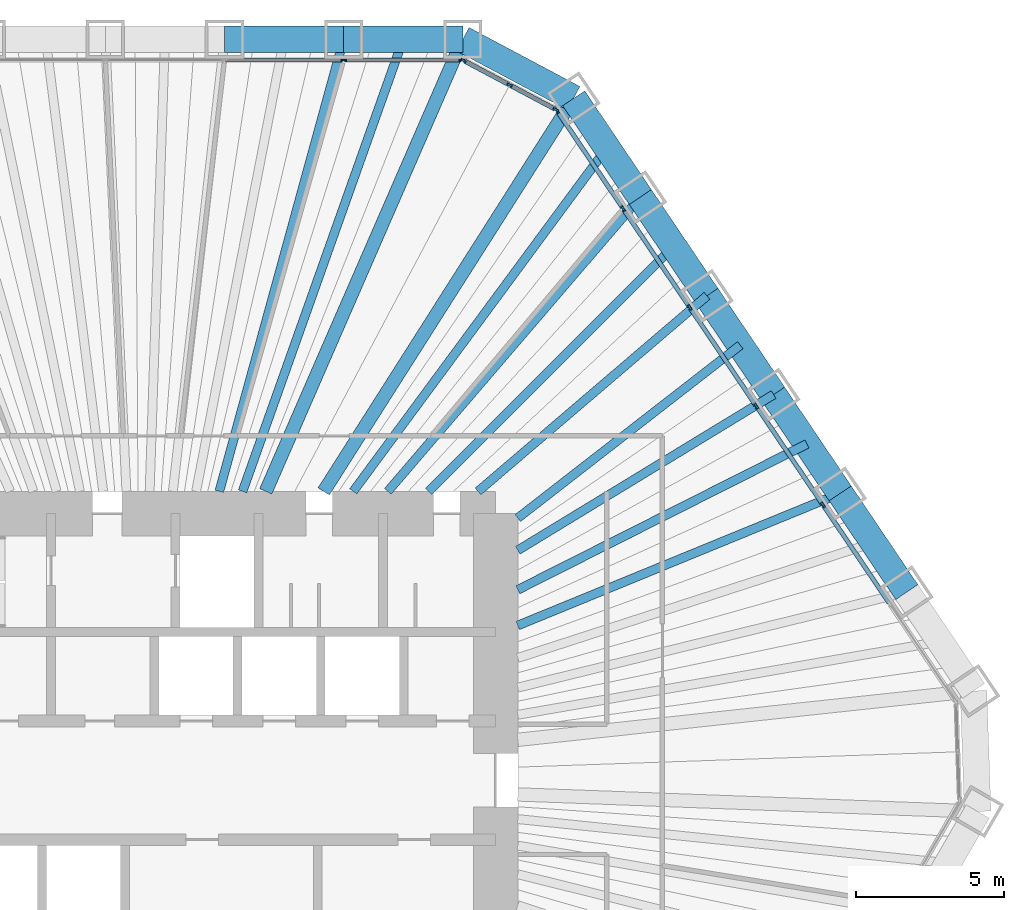
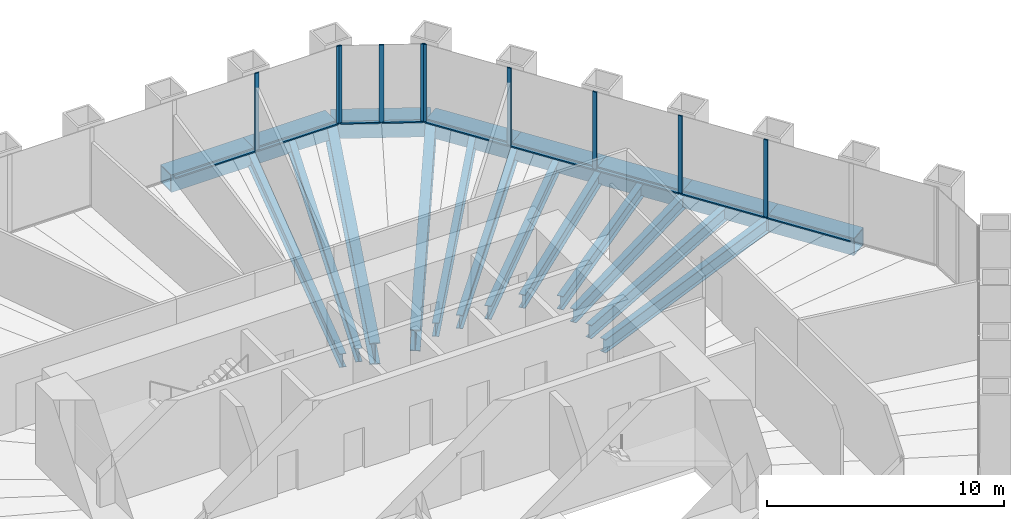
# One storey, part 7 of 13: 20 beams, 19 members, 3 elements without a shape of their own.
"""IFC4 building model written with IfcOpenShell, lengths in metres."""

from ifc_helpers import new_model, si_unit, direction, frame, origin, origin_2d, place, context, subcontext, project, spatial, rectangle, hollow_rectangle, i_section, extrude, material, material_profile, profile_set, type_object, element, aggregate, save


model = new_model("IFC4")

# Units and contexts
model_context = context("Model", 3, precision=1e-05, world=origin(), true_north=direction((0.0, 1.0)))
body_context = subcontext(model_context, "Body", "Model", "MODEL_VIEW")
ifc_project = project(units=[si_unit("LENGTHUNIT", "METRE"), si_unit("AREAUNIT", "SQUARE_METRE"), si_unit("VOLUMEUNIT", "CUBIC_METRE"), si_unit("PLANEANGLEUNIT", "RADIAN"), si_unit("MASSUNIT", "GRAM", prefix="KILO")], contexts=[model_context])

# Site, building, storey
site_placement = place(None, origin())
site = spatial("IfcSite", under=ifc_project, at=site_placement, CompositionType="ELEMENT")
building_placement = place(site_placement, origin())
building = spatial("IfcBuilding", under=site, at=building_placement, Name="Qingtian Harvest Tower", CompositionType="ELEMENT")
storey_placement = place(building_placement, frame((0.0, 0.0, 111.39990234375)))
storey = spatial("IfcBuildingStorey", under=building, at=storey_placement, Name="L22", CompositionType="ELEMENT", Elevation=111.39990234375)

# Beams
ifc_material_1 = material(Name="Steel SM570MC", Category="steel")
ifc_material_profile_1 = material_profile(ifc_material_1, i_section(OverallWidth=0.449951171875, OverallDepth=1.10009765625, WebThickness=0.02197265625, FlangeThickness=0.044921875, at=origin_2d()), Name="H1100x450x22x45")
ifc_profile_set_1 = profile_set([ifc_material_profile_1], Name="Steel SM570MC")
beam_type_1 = type_object("IfcBeamType", Name="Corner floor beam FB8 H1100x450x22x45", PredefinedType="BEAM", material=ifc_profile_set_1)
beam_1_placement = place(storey_placement, frame((10.892822265625, 25.0, -0.719970703125), z_axis=(-0.399451016538, -0.916754539333, 0.0), x_axis=(0.916754539333, -0.399451016538, 0.0)))
element("IfcBeam", 1, at=beam_1_placement, inside=storey, type_object=beam_type_1, Name="Floor beam FB8 N6", PredefinedType="BEAM", context=body_context, shape_type="SweptSolid", body=[
    extrude(i_section(OverallWidth=0.449951171875, OverallDepth=1.10009765625, WebThickness=0.02197265625, FlangeThickness=0.044921875, at=origin_2d()), origin(), (0.0, 0.0, 1.0), 16.634765625),
])
beam_2_placement = place(storey_placement, frame((14.634765625, 23.01025390625, -0.719970703125), z_axis=(-0.536660352939, -0.843798355997, 0.0), x_axis=(0.843798355997, -0.536660352939, 0.0)))
element("IfcBeam", 2, at=beam_2_placement, inside=storey, type_object=beam_type_1, Name="Floor beam FB8 NE0", PredefinedType="BEAM", context=body_context, shape_type="SweptSolid", body=[
    extrude(i_section(OverallWidth=0.449951171875, OverallDepth=1.10009765625, WebThickness=0.02197265625, FlangeThickness=0.044921875, at=origin_2d()), origin(), (0.0, 0.0, 1.0), 15.71484375),
])
ifc_material_2 = material(Name="Steel SN490B", Category="steel")
ifc_material_profile_2 = material_profile(ifc_material_2, i_section(OverallWidth=0.300048828125, OverallDepth=0.699951171875, WebThickness=0.012939453125, FlangeThickness=0.02392578125, at=origin_2d()), Name="H700x300x13x24")
ifc_profile_set_2 = profile_set([ifc_material_profile_2], Name="Steel SN490B")
beam_type_2 = type_object("IfcBeamType", Name="Floor beam FB2 H700x300x13x24", PredefinedType="BEAM", material=ifc_profile_set_2)
beam_3_placement = place(storey_placement, frame((6.873779296875, 25.0, -0.52001953125), z_axis=(-0.265119170108, -0.964215653078, 0.0), x_axis=(0.964215653078, -0.265119170108, 0.0)))
element("IfcBeam", 3, at=beam_3_placement, inside=storey, type_object=beam_type_2, Name="Floor beam FB2 N5", PredefinedType="BEAM", context=body_context, shape_type="SweptSolid", body=[
    extrude(i_section(OverallWidth=0.300048828125, OverallDepth=0.699951171875, WebThickness=0.012939453125, FlangeThickness=0.02392578125, at=origin_2d()), origin(), (0.0, 0.0, 1.0), 15.81591796875),
])
beam_4_placement = place(storey_placement, frame((16.88232421875, 19.67822265625, -0.52001953125), z_axis=(-0.651140196702, -0.758957471957, 0.0), x_axis=(0.758957471957, -0.651140196702, 0.0)))
element("IfcBeam", 4, at=beam_4_placement, inside=storey, type_object=beam_type_2, Name="Floor beam FB2 NE1", PredefinedType="BEAM", context=body_context, shape_type="SweptSolid", body=[
    extrude(i_section(OverallWidth=0.300048828125, OverallDepth=0.699951171875, WebThickness=0.012939453125, FlangeThickness=0.02392578125, at=origin_2d()), origin(), (0.0, 0.0, 1.0), 13.081298828125),
])
beam_5_placement = place(storey_placement, frame((19.129638671875, 16.346435546875, -0.52001953125), z_axis=(-0.760241810635, -0.649640199928, 0.0), x_axis=(0.649640199928, -0.760241810635, 0.0)))
element("IfcBeam", 5, at=beam_5_placement, inside=storey, type_object=beam_type_2, Name="Floor beam FB2 NE2", PredefinedType="BEAM", context=body_context, shape_type="SweptSolid", body=[
    extrude(i_section(OverallWidth=0.300048828125, OverallDepth=0.699951171875, WebThickness=0.012939453125, FlangeThickness=0.02392578125, at=origin_2d()), origin(), (0.0, 0.0, 1.0), 10.154052734375),
])
beam_6_placement = place(storey_placement, frame((21.377197265625, 13.014404296875, -0.52001953125), z_axis=(-0.854160745245, -0.520009058846, 0.0), x_axis=(0.520009058846, -0.854160745245, 0.0)))
element("IfcBeam", 6, at=beam_6_placement, inside=storey, type_object=beam_type_2, Name="Floor beam FB2 NE3", PredefinedType="BEAM", context=body_context, shape_type="SweptSolid", body=[
    extrude(i_section(OverallWidth=0.300048828125, OverallDepth=0.699951171875, WebThickness=0.012939453125, FlangeThickness=0.02392578125, at=origin_2d()), origin(), (0.0, 0.0, 1.0), 10.10009765625),
])
beam_7_placement = place(storey_placement, frame((23.62451171875, 9.682373046875, -0.52001953125), z_axis=(-0.925304541163, -0.379224875375, 0.0), x_axis=(0.379224875375, -0.925304541163, 0.0)))
element("IfcBeam", 7, at=beam_7_placement, inside=storey, type_object=beam_type_2, Name="Floor beam FB2 NE4", PredefinedType="BEAM", context=body_context, shape_type="SweptSolid", body=[
    extrude(i_section(OverallWidth=0.300048828125, OverallDepth=0.699951171875, WebThickness=0.012939453125, FlangeThickness=0.02392578125, at=origin_2d()), origin(), (0.0, 0.0, 1.0), 11.75244140625),
])
ifc_material_3 = material(Name="Steel SN490B", Category="steel")
ifc_material_profile_3 = material_profile(ifc_material_3, i_section(OverallWidth=0.300048828125, OverallDepth=0.699951171875, WebThickness=0.012939453125, FlangeThickness=0.02392578125, at=origin_2d()), Name="H700x300x13x24")
ifc_profile_set_3 = profile_set([ifc_material_profile_3], Name="Steel SN490B")
beam_type_3 = type_object("IfcBeamType", Name="Floor joist J2 H700x300x13x24", PredefinedType="JOIST", material=ifc_profile_set_3)
beam_8_placement = place(storey_placement, frame((8.88330078125, 25.0, -0.52001953125), z_axis=(-0.334829909573, -0.94227858495, 0.0), x_axis=(0.94227858495, -0.334829909573, 0.0)))
element("IfcBeam", 8, at=beam_8_placement, inside=storey, type_object=beam_type_3, Name="Floor joist J2 N5", PredefinedType="JOIST", context=body_context, shape_type="SweptSolid", body=[
    extrude(i_section(OverallWidth=0.300048828125, OverallDepth=0.699951171875, WebThickness=0.012939453125, FlangeThickness=0.02392578125, at=origin_2d()), origin(), (0.0, 0.0, 1.0), 16.18408203125),
])
beam_9_placement = place(storey_placement, frame((15.758544921875, 21.34423828125, -0.52001953125), z_axis=(-0.593960386058, -0.804494288229, 0.0), x_axis=(0.804494288229, -0.593960386058, 0.0)))
element("IfcBeam", 9, at=beam_9_placement, inside=storey, type_object=beam_type_3, Name="Floor joist J2 NE0", PredefinedType="JOIST", context=body_context, shape_type="SweptSolid", body=[
    extrude(i_section(OverallWidth=0.300048828125, OverallDepth=0.699951171875, WebThickness=0.012939453125, FlangeThickness=0.02392578125, at=origin_2d()), origin(), (0.0, 0.0, 1.0), 14.411865234375),
])
beam_10_placement = place(storey_placement, frame((18.005859375, 18.012451171875, -0.52001953125), z_axis=(-0.706970932755, -0.707242603524, 0.0), x_axis=(0.707242603524, -0.706970932755, 0.0)))
element("IfcBeam", 10, at=beam_10_placement, inside=storey, type_object=beam_type_3, Name="Floor joist J2 NE1", PredefinedType="JOIST", context=body_context, shape_type="SweptSolid", body=[
    extrude(i_section(OverallWidth=0.300048828125, OverallDepth=0.699951171875, WebThickness=0.012939453125, FlangeThickness=0.02392578125, at=origin_2d()), origin(), (0.0, 0.0, 1.0), 11.6826171875),
])
beam_11_placement = place(storey_placement, frame((20.25341796875, 14.680419921875, -0.52001953125), z_axis=(-0.789641272199, -0.61356879096, 0.0), x_axis=(0.61356879096, -0.789641272199, 0.0)))
element("IfcBeam", 11, at=beam_11_placement, inside=storey, type_object=beam_type_3, Name="Floor joist J2 NE2", PredefinedType="JOIST", context=body_context, shape_type="SweptSolid", body=[
    extrude(i_section(OverallWidth=0.300048828125, OverallDepth=0.699951171875, WebThickness=0.012939453125, FlangeThickness=0.02392578125, at=origin_2d()), origin(), (0.0, 0.0, 1.0), 9.502197265625),
])
beam_12_placement = place(storey_placement, frame((22.500732421875, 11.348388671875, -0.52001953125), z_axis=(-0.892861323685, -0.450331718478, 0.0), x_axis=(0.450331718478, -0.892861323685, 0.0)))
element("IfcBeam", 12, at=beam_12_placement, inside=storey, type_object=beam_type_3, Name="Floor joist J2 NE3", PredefinedType="JOIST", context=body_context, shape_type="SweptSolid", body=[
    extrude(i_section(OverallWidth=0.300048828125, OverallDepth=0.699951171875, WebThickness=0.012939453125, FlangeThickness=0.02392578125, at=origin_2d()), origin(), (0.0, 0.0, 1.0), 10.920654296875),
])

# Curtain wall, members
ifc_material_4 = material(Name="Bronze-anodised aluminium curtain wall", Category="aluminium")
curtain_wall_type = type_object("IfcCurtainWallType", Name="Curtain wall CW4 office", PredefinedType="USERDEFINED", material=ifc_material_4)
curtain_wall_1_placement = place(storey_placement, origin())
curtain_wall_1 = element("IfcCurtainWall", 13, at=curtain_wall_1_placement, inside=storey, type_object=curtain_wall_type, Name="Curtain wall CW4 L22 N0-5", ObjectType="RECESSED CURTAIN WALL", PredefinedType="USERDEFINED")
ifc_material_5 = material(Name="Bronze-anodised aluminium mullion", Category="aluminium")
ifc_material_profile_4 = material_profile(ifc_material_5, rectangle(XDim=0.06494140625, YDim=0.199951171875, at=origin_2d()), Name="AL 65x200")
ifc_profile_set_4 = profile_set([ifc_material_profile_4], Name="Bronze-anodised aluminium mullion")
member_type_1 = type_object("IfcMemberType", Name="Mullion CWM 65x200", PredefinedType="MULLION", material=ifc_profile_set_4)
member_1_placement = place(storey_placement, frame((6.873779296875, 24.300048828125, 0.0), z_axis=(0.0, 0.0, 1.0), x_axis=(0.0, 1.0, 0.0)))
member_1 = element("IfcMember", 14, at=member_1_placement, type_object=member_type_1, Name="CW4 mullion 6", PredefinedType="MULLION", context=body_context, shape_type="SweptSolid", body=[
    extrude(rectangle(XDim=0.06494140625, YDim=0.199951171875, at=origin_2d()), origin(), (0.0, 0.0, 1.0), 4.030029296875),
])
member_2_placement = place(storey_placement, frame((10.8603515625, 24.300048828125, 0.0), z_axis=(0.0, 0.0, 1.0), x_axis=(0.0, 1.0, 0.0)))
member_2 = element("IfcMember", 15, at=member_2_placement, type_object=member_type_1, Name="CW4 mullion 7", PredefinedType="MULLION", context=body_context, shape_type="SweptSolid", body=[
    extrude(rectangle(XDim=0.06494140625, YDim=0.199951171875, at=origin_2d()), origin(), (0.0, 0.0, 1.0), 4.030029296875),
])

curtain_wall_2_placement = place(storey_placement, origin())
curtain_wall_2 = element("IfcCurtainWall", 16, at=curtain_wall_2_placement, inside=storey, type_object=curtain_wall_type, Name="Curtain wall CW4 L22 NC", ObjectType="RECESSED CURTAIN WALL", PredefinedType="USERDEFINED")
member_3_placement = place(storey_placement, frame((10.92138671875, 24.28466796875, 0.0), z_axis=(0.0, 0.0, 1.0), x_axis=(0.469471562786, 0.882947592859, 0.0)))
member_3 = element("IfcMember", 17, at=member_3_placement, type_object=member_type_1, Name="CW4 mullion 1", PredefinedType="MULLION", context=body_context, shape_type="SweptSolid", body=[
    extrude(rectangle(XDim=0.06494140625, YDim=0.199951171875, at=origin_2d()), origin(), (0.0, 0.0, 1.0), 4.030029296875),
])
member_4_placement = place(storey_placement, frame((12.4736328125, 23.45947265625, 0.0), z_axis=(0.0, 0.0, 1.0), x_axis=(0.469471562786, 0.882947592859, 0.0)))
member_4 = element("IfcMember", 18, at=member_4_placement, type_object=member_type_1, Name="CW4 mullion 2", PredefinedType="MULLION", context=body_context, shape_type="SweptSolid", body=[
    extrude(rectangle(XDim=0.06494140625, YDim=0.199951171875, at=origin_2d()), origin(), (0.0, 0.0, 1.0), 4.030029296875),
])
member_5_placement = place(storey_placement, frame((14.02587890625, 22.634033203125, 0.0), z_axis=(0.0, 0.0, 1.0), x_axis=(0.469471562786, 0.882947592859, 0.0)))
member_5 = element("IfcMember", 19, at=member_5_placement, type_object=member_type_1, Name="CW4 mullion 3", PredefinedType="MULLION", context=body_context, shape_type="SweptSolid", body=[
    extrude(rectangle(XDim=0.06494140625, YDim=0.199951171875, at=origin_2d()), origin(), (0.0, 0.0, 1.0), 4.030029296875),
])

curtain_wall_3_placement = place(storey_placement, origin())
curtain_wall_3 = element("IfcCurtainWall", 20, at=curtain_wall_3_placement, inside=storey, type_object=curtain_wall_type, Name="Curtain wall CW4 L22 NE0-5", ObjectType="RECESSED CURTAIN WALL", PredefinedType="USERDEFINED")
member_6_placement = place(storey_placement, frame((14.07275390625, 22.592041015625, 0.0), z_axis=(0.0, 0.0, 1.0), x_axis=(0.829037572555, 0.559192903471, 0.0)))
member_6 = element("IfcMember", 21, at=member_6_placement, type_object=member_type_1, Name="CW4 mullion 1", PredefinedType="MULLION", context=body_context, shape_type="SweptSolid", body=[
    extrude(rectangle(XDim=0.06494140625, YDim=0.199951171875, at=origin_2d()), origin(), (0.0, 0.0, 1.0), 4.030029296875),
])
member_7_placement = place(storey_placement, frame((16.302001953125, 19.286865234375, 0.0), z_axis=(0.0, 0.0, 1.0), x_axis=(0.829037572555, 0.559192903471, 0.0)))
member_7 = element("IfcMember", 22, at=member_7_placement, type_object=member_type_1, Name="CW4 mullion 2", PredefinedType="MULLION", context=body_context, shape_type="SweptSolid", body=[
    extrude(rectangle(XDim=0.06494140625, YDim=0.199951171875, at=origin_2d()), origin(), (0.0, 0.0, 1.0), 4.030029296875),
])
member_8_placement = place(storey_placement, frame((18.54931640625, 15.954833984375, 0.0), z_axis=(0.0, 0.0, 1.0), x_axis=(0.829037572555, 0.559192903471, 0.0)))
member_8 = element("IfcMember", 23, at=member_8_placement, type_object=member_type_1, Name="CW4 mullion 3", PredefinedType="MULLION", context=body_context, shape_type="SweptSolid", body=[
    extrude(rectangle(XDim=0.06494140625, YDim=0.199951171875, at=origin_2d()), origin(), (0.0, 0.0, 1.0), 4.030029296875),
])
member_9_placement = place(storey_placement, frame((20.796875, 12.623046875, 0.0), z_axis=(0.0, 0.0, 1.0), x_axis=(0.829037572555, 0.559192903471, 0.0)))
member_9 = element("IfcMember", 24, at=member_9_placement, type_object=member_type_1, Name="CW4 mullion 4", PredefinedType="MULLION", context=body_context, shape_type="SweptSolid", body=[
    extrude(rectangle(XDim=0.06494140625, YDim=0.199951171875, at=origin_2d()), origin(), (0.0, 0.0, 1.0), 4.030029296875),
])
member_10_placement = place(storey_placement, frame((23.044189453125, 9.291015625, 0.0), z_axis=(0.0, 0.0, 1.0), x_axis=(0.829037572555, 0.559192903471, 0.0)))
member_10 = element("IfcMember", 25, at=member_10_placement, type_object=member_type_1, Name="CW4 mullion 5", PredefinedType="MULLION", context=body_context, shape_type="SweptSolid", body=[
    extrude(rectangle(XDim=0.06494140625, YDim=0.199951171875, at=origin_2d()), origin(), (0.0, 0.0, 1.0), 4.030029296875),
])

# Beams
ifc_material_6 = material(Name="Steel SM570MC", Category="steel")
ifc_material_profile_5 = material_profile(ifc_material_6, hollow_rectangle(XDim=0.89990234375, YDim=0.89990234375, WallThickness=0.050048828125, at=origin_2d()), Name="BOX900x900x50")
ifc_profile_set_5 = profile_set([ifc_material_profile_5], Name="Steel SM570MC")
beam_type_4 = type_object("IfcBeamType", Name="Transition spandrel SB6 BOX900x900x50", PredefinedType="SPANDREL", material=ifc_profile_set_5)
beam_13_placement = place(storey_placement, frame((2.8544921875, 25.0, -0.449951171875), z_axis=(1.0, 0.0, 0.0), x_axis=(0.0, 1.0, 0.0)))
element("IfcBeam", 26, at=beam_13_placement, inside=storey, type_object=beam_type_4, Name="Spandrel SB6 N4", PredefinedType="SPANDREL", context=body_context, shape_type="SweptSolid", body=[
    extrude(hollow_rectangle(XDim=0.89990234375, YDim=0.89990234375, WallThickness=0.050048828125, at=origin_2d()), origin(), (0.0, 0.0, 1.0), 4.019287109375),
])
beam_14_placement = place(storey_placement, frame((6.873779296875, 25.0, -0.449951171875), z_axis=(1.0, 0.0, 0.0), x_axis=(0.0, 1.0, 0.0)))
element("IfcBeam", 27, at=beam_14_placement, inside=storey, type_object=beam_type_4, Name="Spandrel SB6 N5", PredefinedType="SPANDREL", context=body_context, shape_type="SweptSolid", body=[
    extrude(hollow_rectangle(XDim=0.89990234375, YDim=0.89990234375, WallThickness=0.050048828125, at=origin_2d()), origin(), (0.0, 0.0, 1.0), 4.01904296875),
])
beam_15_placement = place(storey_placement, frame((10.892822265625, 25.0, -0.449951171875), z_axis=(0.882935902835, -0.469493547863, 0.0), x_axis=(0.469493547863, 0.882935902835, 0.0)))
element("IfcBeam", 28, at=beam_15_placement, inside=storey, type_object=beam_type_4, Name="Spandrel SB6 NC", PredefinedType="SPANDREL", context=body_context, shape_type="SweptSolid", body=[
    extrude(hollow_rectangle(XDim=0.89990234375, YDim=0.89990234375, WallThickness=0.050048828125, at=origin_2d()), origin(), (0.0, 0.0, 1.0), 4.238037109375),
])
beam_16_placement = place(storey_placement, frame((14.634765625, 23.01025390625, -0.449951171875), z_axis=(0.559205752254, -0.829028905796, 0.0), x_axis=(0.829028905796, 0.559205752254, 0.0)))
element("IfcBeam", 29, at=beam_16_placement, inside=storey, type_object=beam_type_4, Name="Spandrel SB6 NE0", PredefinedType="SPANDREL", context=body_context, shape_type="SweptSolid", body=[
    extrude(hollow_rectangle(XDim=0.89990234375, YDim=0.89990234375, WallThickness=0.050048828125, at=origin_2d()), origin(), (0.0, 0.0, 1.0), 4.019287109375),
])
beam_17_placement = place(storey_placement, frame((16.88232421875, 19.67822265625, -0.449951171875), z_axis=(0.55919216322, -0.82903807186, 0.0), x_axis=(0.82903807186, 0.55919216322, 0.0)))
element("IfcBeam", 30, at=beam_17_placement, inside=storey, type_object=beam_type_4, Name="Spandrel SB6 NE1", PredefinedType="SPANDREL", context=body_context, shape_type="SweptSolid", body=[
    extrude(hollow_rectangle(XDim=0.89990234375, YDim=0.89990234375, WallThickness=0.050048828125, at=origin_2d()), origin(), (0.0, 0.0, 1.0), 4.018798828125),
])
beam_18_placement = place(storey_placement, frame((19.129638671875, 16.346435546875, -0.449951171875), z_axis=(0.559205752254, -0.829028905796, 0.0), x_axis=(0.829028905796, 0.559205752254, 0.0)))
element("IfcBeam", 31, at=beam_18_placement, inside=storey, type_object=beam_type_4, Name="Spandrel SB6 NE2", PredefinedType="SPANDREL", context=body_context, shape_type="SweptSolid", body=[
    extrude(hollow_rectangle(XDim=0.89990234375, YDim=0.89990234375, WallThickness=0.050048828125, at=origin_2d()), origin(), (0.0, 0.0, 1.0), 4.019287109375),
])
for number, where, z_axis, x_axis, name in (
    (32, (21.377197265625, 13.014404296875, -0.449951171875), (0.55916400171, -0.829057066306, 0.0), (0.829057066306, 0.55916400171, 0.0), "Spandrel SB6 NE3"),
    (33, (23.62451171875, 9.682373046875, -0.449951171875), (0.559233913953, -0.829009909159, 0.0), (0.829009909159, 0.559233913953, 0.0), "Spandrel SB6 NE4"),
):
    element("IfcBeam", number, at=place(storey_placement, frame(where, z_axis=z_axis, x_axis=x_axis)), inside=storey, type_object=beam_type_4, Name=name, PredefinedType="SPANDREL", context=body_context, shape_type="SweptSolid", body=[
        extrude(hollow_rectangle(XDim=0.89990234375, YDim=0.89990234375, WallThickness=0.050048828125, at=origin_2d()), origin(), (0.0, 0.0, 1.0), 4.01904296875),
    ])

# Member
ifc_material_7 = material(Name="Bronze-anodised aluminium transom", Category="aluminium")
ifc_material_profile_6 = material_profile(ifc_material_7, rectangle(XDim=0.14990234375, YDim=0.06494140625, at=origin_2d()), Name="AL 65x150")
ifc_profile_set_6 = profile_set([ifc_material_profile_6], Name="Bronze-anodised aluminium transom")
member_type_2 = type_object("IfcMemberType", Name="Transom CWT 65x150", PredefinedType="USERDEFINED", material=ifc_profile_set_6)
member_11_placement = place(storey_placement, frame((2.886962890625, 24.300048828125, 0.03271484375), z_axis=(1.0, 0.0, 0.0), x_axis=(0.0, 1.0, 0.0)))
member_11 = element("IfcMember", 34, at=member_11_placement, type_object=member_type_2, Name="CW4 transom 5.1", ObjectType="TRANSOM", PredefinedType="USERDEFINED", context=body_context, shape_type="SweptSolid", body=[
    extrude(rectangle(XDim=0.14990234375, YDim=0.06494140625, at=origin_2d()), origin(), (0.0, 0.0, 1.0), 3.9541015625),
])

member_12_placement = place(storey_placement, frame((6.90625, 24.300048828125, 0.03271484375), z_axis=(1.0, 0.0, 0.0), x_axis=(0.0, 1.0, 0.0)))
member_12 = element("IfcMember", 35, at=member_12_placement, type_object=member_type_2, Name="CW4 transom 6.1", ObjectType="TRANSOM", PredefinedType="USERDEFINED", context=body_context, shape_type="SweptSolid", body=[
    extrude(rectangle(XDim=0.14990234375, YDim=0.06494140625, at=origin_2d()), origin(), (0.0, 0.0, 1.0), 3.92138671875),
])

aggregate(curtain_wall_1, [member_1, member_2, member_11, member_12])

member_13_placement = place(storey_placement, frame((10.9501953125, 24.26953125, 0.03271484375), z_axis=(0.882895287784, -0.469569921108, 0.0), x_axis=(0.469569921108, 0.882895287784, 0.0)))
member_13 = element("IfcMember", 36, at=member_13_placement, type_object=member_type_2, Name="CW4 transom 1.1", ObjectType="TRANSOM", PredefinedType="USERDEFINED", context=body_context, shape_type="SweptSolid", body=[
    extrude(rectangle(XDim=0.14990234375, YDim=0.06494140625, at=origin_2d()), origin(), (0.0, 0.0, 1.0), 1.69287109375),
])

member_14_placement = place(storey_placement, frame((12.502197265625, 23.444091796875, 0.03271484375), z_axis=(0.882986854304, -0.469397715297, 0.0), x_axis=(0.469397715297, 0.882986854304, 0.0)))
member_14 = element("IfcMember", 37, at=member_14_placement, type_object=member_type_2, Name="CW4 transom 2.1", ObjectType="TRANSOM", PredefinedType="USERDEFINED", context=body_context, shape_type="SweptSolid", body=[
    extrude(rectangle(XDim=0.14990234375, YDim=0.06494140625, at=origin_2d()), origin(), (0.0, 0.0, 1.0), 1.69287109375),
])

aggregate(curtain_wall_2, [member_3, member_4, member_5, member_13, member_14])

member_15_placement = place(storey_placement, frame((14.0908203125, 22.56494140625, 0.03271484375), z_axis=(0.55920336949, -0.82903051304, 0.0), x_axis=(0.82903051304, 0.55920336949, 0.0)))
member_15 = element("IfcMember", 38, at=member_15_placement, type_object=member_type_2, Name="CW4 transom 1.1", ObjectType="TRANSOM", PredefinedType="USERDEFINED", context=body_context, shape_type="SweptSolid", body=[
    extrude(rectangle(XDim=0.14990234375, YDim=0.06494140625, at=origin_2d()), origin(), (0.0, 0.0, 1.0), 3.92138671875),
])

member_16_placement = place(storey_placement, frame((16.320068359375, 19.260009765625, 0.03271484375), z_axis=(0.55920878069, -0.829026863014, 0.0), x_axis=(0.829026863014, 0.55920878069, 0.0)))
member_16 = element("IfcMember", 39, at=member_16_placement, type_object=member_type_2, Name="CW4 transom 2.1", ObjectType="TRANSOM", PredefinedType="USERDEFINED", context=body_context, shape_type="SweptSolid", body=[
    extrude(rectangle(XDim=0.14990234375, YDim=0.06494140625, at=origin_2d()), origin(), (0.0, 0.0, 1.0), 3.9541015625),
])

member_17_placement = place(storey_placement, frame((18.567626953125, 15.927978515625, 0.03271484375), z_axis=(0.559166343236, -0.82905548704, 0.0), x_axis=(0.82905548704, 0.559166343236, 0.0)))
member_17 = element("IfcMember", 40, at=member_17_placement, type_object=member_type_2, Name="CW4 transom 3.1", ObjectType="TRANSOM", PredefinedType="USERDEFINED", context=body_context, shape_type="SweptSolid", body=[
    extrude(rectangle(XDim=0.14990234375, YDim=0.06494140625, at=origin_2d()), origin(), (0.0, 0.0, 1.0), 3.9541015625),
])

member_18_placement = place(storey_placement, frame((20.81494140625, 12.595947265625, 0.03271484375), z_axis=(0.55920878069, -0.829026863014, 0.0), x_axis=(0.829026863014, 0.55920878069, 0.0)))
member_18 = element("IfcMember", 41, at=member_18_placement, type_object=member_type_2, Name="CW4 transom 4.1", ObjectType="TRANSOM", PredefinedType="USERDEFINED", context=body_context, shape_type="SweptSolid", body=[
    extrude(rectangle(XDim=0.14990234375, YDim=0.06494140625, at=origin_2d()), origin(), (0.0, 0.0, 1.0), 3.9541015625),
])

member_19_placement = place(storey_placement, frame((23.0625, 9.26416015625, 0.03271484375), z_axis=(0.559166343236, -0.82905548704, 0.0), x_axis=(0.82905548704, 0.559166343236, 0.0)))
member_19 = element("IfcMember", 42, at=member_19_placement, type_object=member_type_2, Name="CW4 transom 5.1", ObjectType="TRANSOM", PredefinedType="USERDEFINED", context=body_context, shape_type="SweptSolid", body=[
    extrude(rectangle(XDim=0.14990234375, YDim=0.06494140625, at=origin_2d()), origin(), (0.0, 0.0, 1.0), 3.9541015625),
])

aggregate(curtain_wall_3, [member_6, member_7, member_8, member_9, member_10, member_15, member_16, member_17, member_18, member_19])

save(model, "model.ifc")
